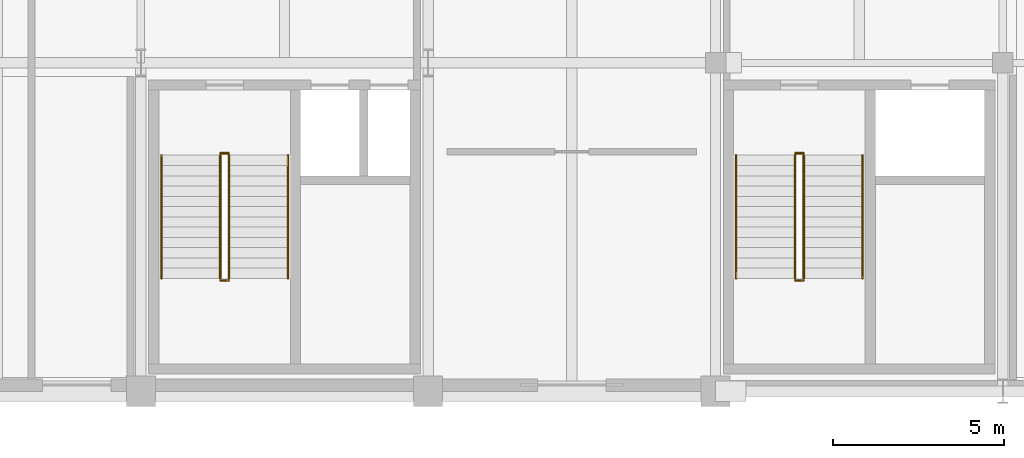
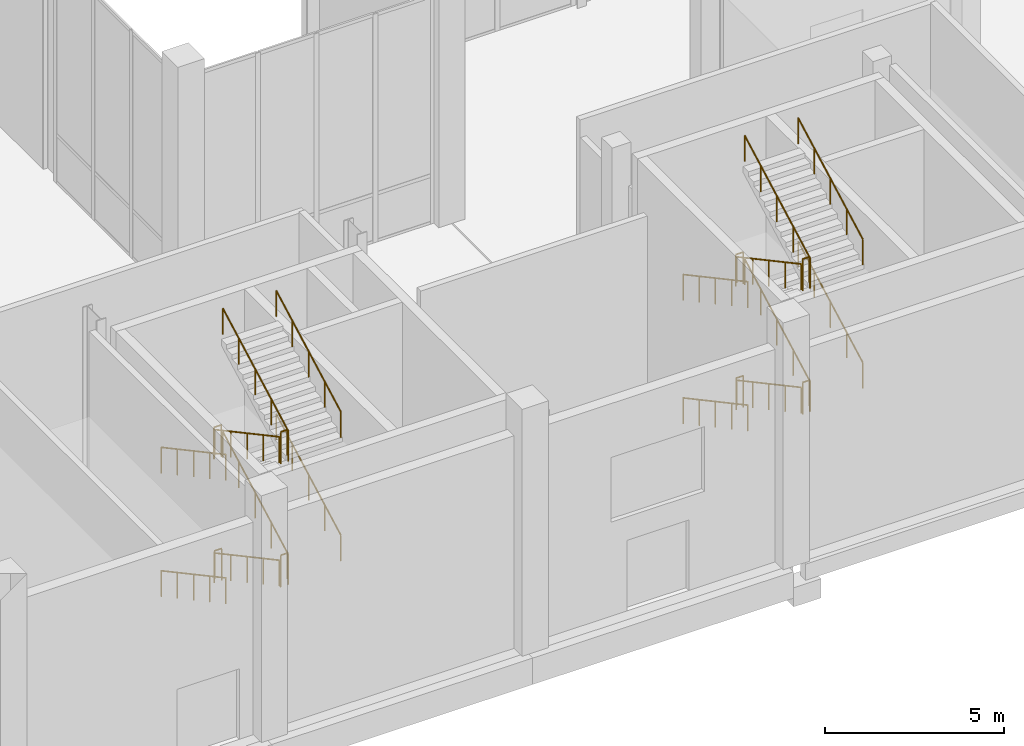
# One storey, part 126 of 131: 24 railings.
"""IFC4 building model written with IfcOpenShell, lengths in metres."""

from ifc_helpers import new_model, si_unit, direction, frame, origin, origin_2d, place, context, subcontext, project, spatial, circle, extrude, material, type_object, element, save


model = new_model("IFC4")

# Units and contexts
model_context = context("Model", 3, precision=1e-05, world=origin(), true_north=direction((0.0, 1.0)))
body_context = subcontext(model_context, "Body", "Model", "MODEL_VIEW")
ifc_project = project(units=[si_unit("LENGTHUNIT", "METRE"), si_unit("AREAUNIT", "SQUARE_METRE"), si_unit("VOLUMEUNIT", "CUBIC_METRE"), si_unit("PLANEANGLEUNIT", "RADIAN"), si_unit("MASSUNIT", "GRAM", prefix="KILO")], contexts=[model_context])

# Site, building, storey
site_placement = place(None, origin())
site = spatial("IfcSite", under=ifc_project, at=site_placement, CompositionType="ELEMENT")
building_placement = place(site_placement, origin())
building = spatial("IfcBuilding", under=site, at=building_placement, Name="Veltarok Museum of Natural Sciences", CompositionType="ELEMENT")
storey_placement = place(building_placement, origin())
storey = spatial("IfcBuildingStorey", under=building, at=storey_placement, Name="L00", CompositionType="ELEMENT", Elevation=0.0)

# Railings
ifc_material = material(Name="Steel S355J2", Category="steel")
railing_type_1 = type_object("IfcRailingType", Name="Interior Atrium and Stairwell Guardrail 1100", PredefinedType="GUARDRAIL", material=ifc_material)
for number, where, name in (
    (1, (92.72998046875, 6.949951171875, 0.0), "Stairwell Floor Guard ST-02 L00"),
    (2, (92.72998046875, 3.239990234375, 2.10009765625), "Landing Well Guard ST-02-L00-L1"),
    (3, (92.72998046875, 6.9599609375, 4.199951171875), "Landing Well Guard ST-02-L00-L2"),
    (4, (92.72998046875, 3.239990234375, 6.300048828125), "Landing Well Guard ST-02-L00-L3"),
    (5, (109.530029296875, 6.949951171875, 0.0), "Stairwell Floor Guard ST-04 L00"),
    (6, (109.530029296875, 3.239990234375, 2.10009765625), "Landing Well Guard ST-04-L00-L1"),
    (7, (109.530029296875, 6.9599609375, 4.199951171875), "Landing Well Guard ST-04-L00-L2"),
    (8, (109.530029296875, 3.239990234375, 6.300048828125), "Landing Well Guard ST-04-L00-L3"),
):
    element("IfcRailing", number, at=place(storey_placement, frame(where)), inside=storey, type_object=railing_type_1, Name=name, PredefinedType="GUARDRAIL", context=body_context, shape_type="SweptSolid", body=[
        extrude(circle(Radius=0.02392578125, at=origin_2d()), frame((0.0, 0.0, 1.076171875), z_axis=(1.0, 0.0, 0.0), x_axis=(0.0, 1.0, 0.0)), (0.0, 0.0, 1.0), 0.239990234375),
        extrude(circle(Radius=0.02099609375, at=origin_2d()), origin(), (0.0, 0.0, 1.0), 1.052001953125),
        extrude(circle(Radius=0.02099609375, at=origin_2d()), frame((0.239990234375, 0.0, 0.0)), (0.0, 0.0, 1.0), 1.052001953125),
    ])
railing_type_2 = type_object("IfcRailingType", Name="Stair Flight Tubular Steel Handrail 900", PredefinedType="HANDRAIL", material=ifc_material)
for number, where, name in (
    (9, (91.0, 6.89990234375, 0.16162109375), "Stair Handrail ST-02-L00-F1L"),
    (10, (92.719970703125, 6.89990234375, 0.16162109375), "Stair Handrail ST-02-L00-F1R"),
):
    element("IfcRailing", number, at=place(storey_placement, frame(where)), inside=storey, type_object=railing_type_2, Name=name, PredefinedType="HANDRAIL", context=body_context, shape_type="SweptSolid", body=[
        extrude(circle(Radius=0.02392578125, at=origin_2d()), frame((0.0, 0.0, 0.8759765625), z_axis=(0.0, -0.880461512865, 0.474117627138), x_axis=(1.0, 0.0, 0.0)), (0.0, 0.0, 1.0), 4.088623046875),
        extrude(circle(Radius=0.02099609375, at=origin_2d()), origin(), (0.0, 0.0, 1.0), 0.851806640625),
        extrude(circle(Radius=0.02099609375, at=origin_2d()), frame((0.0, -0.89990234375, 0.484619140625)), (0.0, 0.0, 1.0), 0.851806640625),
        extrude(circle(Radius=0.02099609375, at=origin_2d()), frame((0.0, -1.7998046875, 0.96923828125)), (0.0, 0.0, 1.0), 0.851806640625),
        extrude(circle(Radius=0.02099609375, at=origin_2d()), frame((0.0, -2.699951171875, 1.453857421875)), (0.0, 0.0, 1.0), 0.851806640625),
        extrude(circle(Radius=0.02099609375, at=origin_2d()), frame((0.0, -3.599853515625, 1.9384765625)), (0.0, 0.0, 1.0), 0.851806640625),
    ])
for number, where, name in (
    (11, (92.97998046875, 3.300048828125, 2.261474609375), "Stair Handrail ST-02-L00-F2L"),
    (12, (94.699951171875, 3.300048828125, 2.261474609375), "Stair Handrail ST-02-L00-F2R"),
):
    element("IfcRailing", number, at=place(storey_placement, frame(where)), inside=storey, type_object=railing_type_2, Name=name, PredefinedType="HANDRAIL", context=body_context, shape_type="SweptSolid", body=[
        extrude(circle(Radius=0.02392578125, at=origin_2d()), frame((0.0, 0.0, 0.8759765625), z_axis=(0.0, 0.880461512865, 0.474117627138), x_axis=(-1.0, 0.0, 0.0)), (0.0, 0.0, 1.0), 4.088623046875),
        extrude(circle(Radius=0.02099609375, at=origin_2d()), origin(), (0.0, 0.0, 1.0), 0.851806640625),
        extrude(circle(Radius=0.02099609375, at=origin_2d()), frame((0.0, 0.89990234375, 0.484619140625)), (0.0, 0.0, 1.0), 0.851806640625),
        extrude(circle(Radius=0.02099609375, at=origin_2d()), frame((0.0, 1.7998046875, 0.96923828125)), (0.0, 0.0, 1.0), 0.851806640625),
        extrude(circle(Radius=0.02099609375, at=origin_2d()), frame((0.0, 2.699951171875, 1.453857421875)), (0.0, 0.0, 1.0), 0.851806640625),
        extrude(circle(Radius=0.02099609375, at=origin_2d()), frame((0.0, 3.599853515625, 1.9384765625)), (0.0, 0.0, 1.0), 0.851806640625),
    ])
for number, where, name in (
    (13, (91.0, 6.89990234375, 4.361572265625), "Stair Handrail ST-02-L00-F3L"),
    (14, (92.719970703125, 6.89990234375, 4.361572265625), "Stair Handrail ST-02-L00-F3R"),
):
    element("IfcRailing", number, at=place(storey_placement, frame(where)), inside=storey, type_object=railing_type_2, Name=name, PredefinedType="HANDRAIL", context=body_context, shape_type="SweptSolid", body=[
        extrude(circle(Radius=0.02392578125, at=origin_2d()), frame((0.0, 0.0, 0.8759765625), z_axis=(0.0, -0.880461512865, 0.474117627138), x_axis=(1.0, 0.0, 0.0)), (0.0, 0.0, 1.0), 4.088623046875),
        extrude(circle(Radius=0.02099609375, at=origin_2d()), origin(), (0.0, 0.0, 1.0), 0.851806640625),
        extrude(circle(Radius=0.02099609375, at=origin_2d()), frame((0.0, -0.89990234375, 0.484619140625)), (0.0, 0.0, 1.0), 0.851806640625),
        extrude(circle(Radius=0.02099609375, at=origin_2d()), frame((0.0, -1.7998046875, 0.96923828125)), (0.0, 0.0, 1.0), 0.851806640625),
        extrude(circle(Radius=0.02099609375, at=origin_2d()), frame((0.0, -2.699951171875, 1.453857421875)), (0.0, 0.0, 1.0), 0.851806640625),
        extrude(circle(Radius=0.02099609375, at=origin_2d()), frame((0.0, -3.599853515625, 1.9384765625)), (0.0, 0.0, 1.0), 0.851806640625),
    ])
for number, where, name in (
    (15, (92.97998046875, 3.300048828125, 6.46142578125), "Stair Handrail ST-02-L00-F4L"),
    (16, (94.699951171875, 3.300048828125, 6.46142578125), "Stair Handrail ST-02-L00-F4R"),
):
    element("IfcRailing", number, at=place(storey_placement, frame(where)), inside=storey, type_object=railing_type_2, Name=name, PredefinedType="HANDRAIL", context=body_context, shape_type="SweptSolid", body=[
        extrude(circle(Radius=0.02392578125, at=origin_2d()), frame((0.0, 0.0, 0.8759765625), z_axis=(0.0, 0.880461512865, 0.474117627138), x_axis=(-1.0, 0.0, 0.0)), (0.0, 0.0, 1.0), 4.088623046875),
        extrude(circle(Radius=0.02099609375, at=origin_2d()), origin(), (0.0, 0.0, 1.0), 0.851806640625),
        extrude(circle(Radius=0.02099609375, at=origin_2d()), frame((0.0, 0.89990234375, 0.484619140625)), (0.0, 0.0, 1.0), 0.851806640625),
        extrude(circle(Radius=0.02099609375, at=origin_2d()), frame((0.0, 1.7998046875, 0.96923828125)), (0.0, 0.0, 1.0), 0.851806640625),
        extrude(circle(Radius=0.02099609375, at=origin_2d()), frame((0.0, 2.699951171875, 1.453857421875)), (0.0, 0.0, 1.0), 0.851806640625),
        extrude(circle(Radius=0.02099609375, at=origin_2d()), frame((0.0, 3.599853515625, 1.9384765625)), (0.0, 0.0, 1.0), 0.851806640625),
    ])
for number, where, name in (
    (17, (107.800048828125, 6.89990234375, 0.16162109375), "Stair Handrail ST-04-L00-F1L"),
    (18, (109.52001953125, 6.89990234375, 0.16162109375), "Stair Handrail ST-04-L00-F1R"),
):
    element("IfcRailing", number, at=place(storey_placement, frame(where)), inside=storey, type_object=railing_type_2, Name=name, PredefinedType="HANDRAIL", context=body_context, shape_type="SweptSolid", body=[
        extrude(circle(Radius=0.02392578125, at=origin_2d()), frame((0.0, 0.0, 0.8759765625), z_axis=(0.0, -0.880461512865, 0.474117627138), x_axis=(1.0, 0.0, 0.0)), (0.0, 0.0, 1.0), 4.088623046875),
        extrude(circle(Radius=0.02099609375, at=origin_2d()), origin(), (0.0, 0.0, 1.0), 0.851806640625),
        extrude(circle(Radius=0.02099609375, at=origin_2d()), frame((0.0, -0.89990234375, 0.484619140625)), (0.0, 0.0, 1.0), 0.851806640625),
        extrude(circle(Radius=0.02099609375, at=origin_2d()), frame((0.0, -1.7998046875, 0.96923828125)), (0.0, 0.0, 1.0), 0.851806640625),
        extrude(circle(Radius=0.02099609375, at=origin_2d()), frame((0.0, -2.699951171875, 1.453857421875)), (0.0, 0.0, 1.0), 0.851806640625),
        extrude(circle(Radius=0.02099609375, at=origin_2d()), frame((0.0, -3.599853515625, 1.9384765625)), (0.0, 0.0, 1.0), 0.851806640625),
    ])
for number, where, name in (
    (19, (109.780029296875, 3.300048828125, 2.261474609375), "Stair Handrail ST-04-L00-F2L"),
    (20, (111.5, 3.300048828125, 2.261474609375), "Stair Handrail ST-04-L00-F2R"),
):
    element("IfcRailing", number, at=place(storey_placement, frame(where)), inside=storey, type_object=railing_type_2, Name=name, PredefinedType="HANDRAIL", context=body_context, shape_type="SweptSolid", body=[
        extrude(circle(Radius=0.02392578125, at=origin_2d()), frame((0.0, 0.0, 0.8759765625), z_axis=(0.0, 0.880461512865, 0.474117627138), x_axis=(-1.0, 0.0, 0.0)), (0.0, 0.0, 1.0), 4.088623046875),
        extrude(circle(Radius=0.02099609375, at=origin_2d()), origin(), (0.0, 0.0, 1.0), 0.851806640625),
        extrude(circle(Radius=0.02099609375, at=origin_2d()), frame((0.0, 0.89990234375, 0.484619140625)), (0.0, 0.0, 1.0), 0.851806640625),
        extrude(circle(Radius=0.02099609375, at=origin_2d()), frame((0.0, 1.7998046875, 0.96923828125)), (0.0, 0.0, 1.0), 0.851806640625),
        extrude(circle(Radius=0.02099609375, at=origin_2d()), frame((0.0, 2.699951171875, 1.453857421875)), (0.0, 0.0, 1.0), 0.851806640625),
        extrude(circle(Radius=0.02099609375, at=origin_2d()), frame((0.0, 3.599853515625, 1.9384765625)), (0.0, 0.0, 1.0), 0.851806640625),
    ])
for number, where, name in (
    (21, (107.800048828125, 6.89990234375, 4.361572265625), "Stair Handrail ST-04-L00-F3L"),
    (22, (109.52001953125, 6.89990234375, 4.361572265625), "Stair Handrail ST-04-L00-F3R"),
):
    element("IfcRailing", number, at=place(storey_placement, frame(where)), inside=storey, type_object=railing_type_2, Name=name, PredefinedType="HANDRAIL", context=body_context, shape_type="SweptSolid", body=[
        extrude(circle(Radius=0.02392578125, at=origin_2d()), frame((0.0, 0.0, 0.8759765625), z_axis=(0.0, -0.880461512865, 0.474117627138), x_axis=(1.0, 0.0, 0.0)), (0.0, 0.0, 1.0), 4.088623046875),
        extrude(circle(Radius=0.02099609375, at=origin_2d()), origin(), (0.0, 0.0, 1.0), 0.851806640625),
        extrude(circle(Radius=0.02099609375, at=origin_2d()), frame((0.0, -0.89990234375, 0.484619140625)), (0.0, 0.0, 1.0), 0.851806640625),
        extrude(circle(Radius=0.02099609375, at=origin_2d()), frame((0.0, -1.7998046875, 0.96923828125)), (0.0, 0.0, 1.0), 0.851806640625),
        extrude(circle(Radius=0.02099609375, at=origin_2d()), frame((0.0, -2.699951171875, 1.453857421875)), (0.0, 0.0, 1.0), 0.851806640625),
        extrude(circle(Radius=0.02099609375, at=origin_2d()), frame((0.0, -3.599853515625, 1.9384765625)), (0.0, 0.0, 1.0), 0.851806640625),
    ])
for number, where, name in (
    (23, (109.780029296875, 3.300048828125, 6.46142578125), "Stair Handrail ST-04-L00-F4L"),
    (24, (111.5, 3.300048828125, 6.46142578125), "Stair Handrail ST-04-L00-F4R"),
):
    element("IfcRailing", number, at=place(storey_placement, frame(where)), inside=storey, type_object=railing_type_2, Name=name, PredefinedType="HANDRAIL", context=body_context, shape_type="SweptSolid", body=[
        extrude(circle(Radius=0.02392578125, at=origin_2d()), frame((0.0, 0.0, 0.8759765625), z_axis=(0.0, 0.880461512865, 0.474117627138), x_axis=(-1.0, 0.0, 0.0)), (0.0, 0.0, 1.0), 4.088623046875),
        extrude(circle(Radius=0.02099609375, at=origin_2d()), origin(), (0.0, 0.0, 1.0), 0.851806640625),
        extrude(circle(Radius=0.02099609375, at=origin_2d()), frame((0.0, 0.89990234375, 0.484619140625)), (0.0, 0.0, 1.0), 0.851806640625),
        extrude(circle(Radius=0.02099609375, at=origin_2d()), frame((0.0, 1.7998046875, 0.96923828125)), (0.0, 0.0, 1.0), 0.851806640625),
        extrude(circle(Radius=0.02099609375, at=origin_2d()), frame((0.0, 2.699951171875, 1.453857421875)), (0.0, 0.0, 1.0), 0.851806640625),
        extrude(circle(Radius=0.02099609375, at=origin_2d()), frame((0.0, 3.599853515625, 1.9384765625)), (0.0, 0.0, 1.0), 0.851806640625),
    ])

save(model, "model.ifc")
